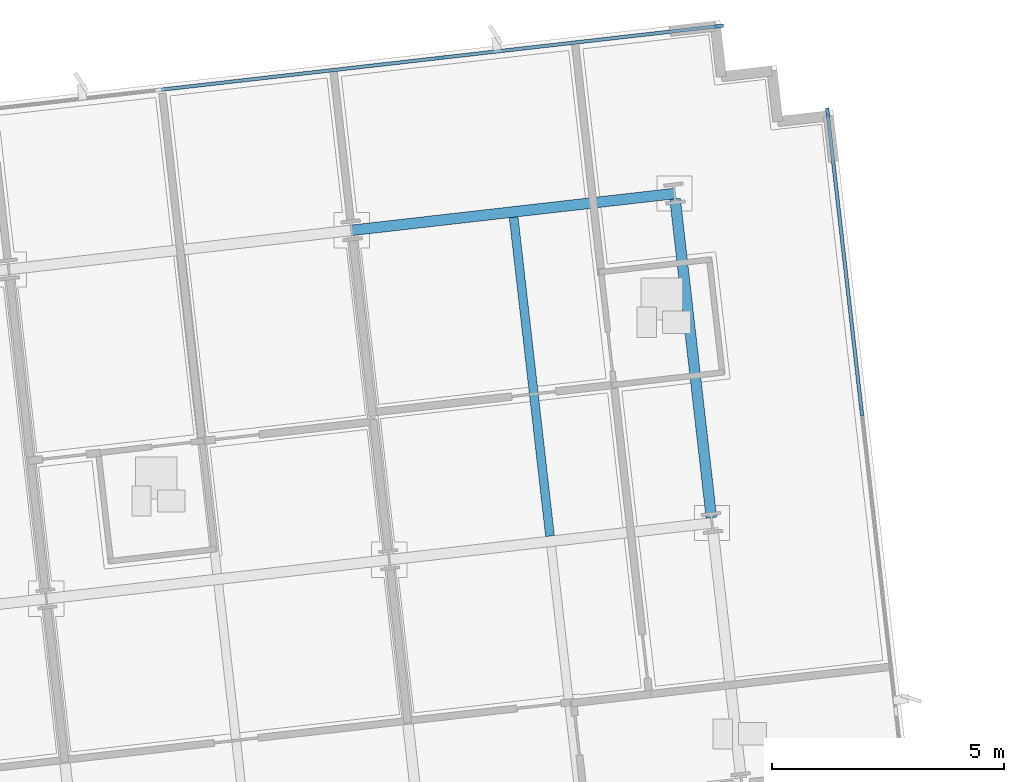
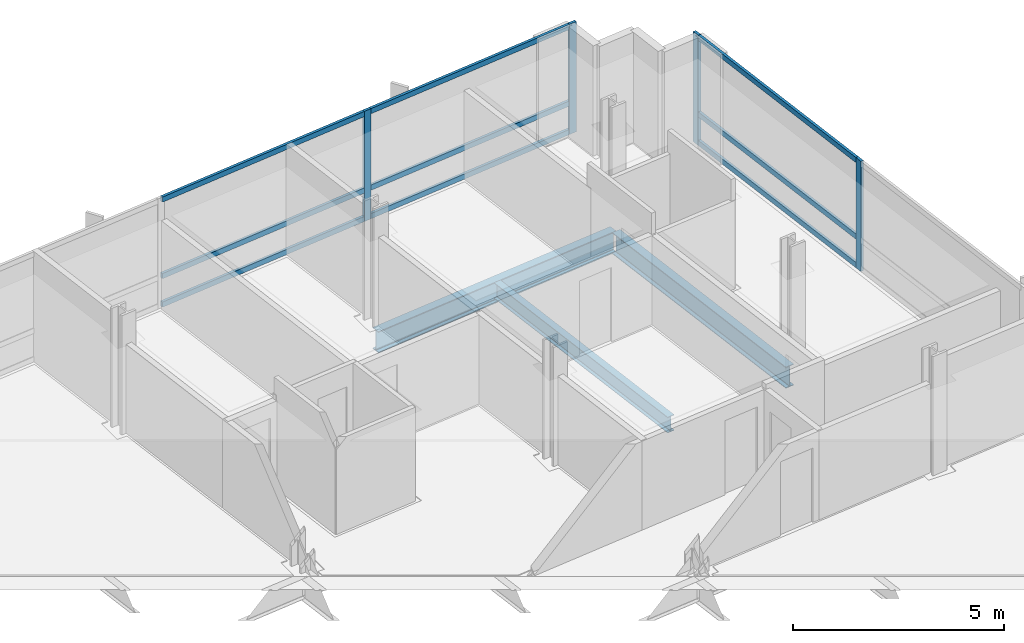
# One storey, part 6 of 17: 13 members, 3 beams, 2 elements without a shape of their own.
"""IFC4 building model written with IfcOpenShell, lengths in metres."""

import ifcopenshell
import ifcopenshell.guid

model = None  # the IFC model being written
_history = None  # IfcOwnerHistory: only IFC2X3 demands one
_inside = {}  # id of a spatial element -> (the spatial element, [elements in it])
_under = {}  # id of a project, library or spatial element -> (it, [spatial elements below it])
_declared = {}  # id of a project -> (the project, [libraries it declares])
_typed = {}  # id of a type object -> (the type object, [elements of that type])
_made_of = {}  # id of a material, layer set ... -> (it, [elements and type objects made of it])


def new_model(schema):
    """Start an empty IFC model of exactly this schema.

    Asked for "IFC4X3", IfcOpenShell would pick the latest addendum, in which some entities
    have other attributes; the version numbers below select the first issue.
    IFC2X3 requires an IfcOwnerHistory on every rooted entity: one is made here for all.
    """
    global model, _history
    if schema == "IFC4X3":
        model = ifcopenshell.file(schema_version=(4, 3, 0, 0))
    else:
        model = ifcopenshell.file(schema=schema)
    _inside.clear()
    _under.clear()
    _declared.clear()
    _typed.clear()
    _made_of.clear()
    _history = None
    if model.schema == "IFC2X3":
        org = make("IfcOrganization", Name="unknown")
        user = make(
            "IfcPersonAndOrganization",
            ThePerson=make("IfcPerson", FamilyName="unknown"),
            TheOrganization=org,
        )
        app = make(
            "IfcApplication",
            ApplicationDeveloper=org,
            Version="unknown",
            ApplicationFullName="unknown",
            ApplicationIdentifier="unknown",
        )
        _history = make(
            "IfcOwnerHistory",
            OwningUser=user,
            OwningApplication=app,
            ChangeAction="ADDED",
            CreationDate=0,
        )
    return model


def make(cls, **values):
    """One entity of the class cls with the attributes given. An attribute that is None is left unset."""
    return model.create_entity(
        cls, **{name: value for name, value in values.items() if value is not None}
    )


def rooted(cls, **values):
    """An entity with a GlobalId (a new one), such as an element, a storey or a relation."""
    return make(cls, GlobalId=ifcopenshell.guid.new(), OwnerHistory=_history, **values)


def si_unit(unit_type, name, prefix=None):
    """IfcSIUnit, for example si_unit("LENGTHUNIT", "METRE", prefix="MILLI")."""
    return make("IfcSIUnit", UnitType=unit_type, Prefix=prefix, Name=name)


def assignment(units):
    """IfcUnitAssignment: the units of a project."""
    return None if units is None else make("IfcUnitAssignment", Units=units)


def point(xyz):
    """IfcCartesianPoint."""
    return None if xyz is None else make("IfcCartesianPoint", Coordinates=xyz)


def direction(xyz):
    """IfcDirection."""
    return None if xyz is None else make("IfcDirection", DirectionRatios=xyz)


def frame(location, z_axis=None, x_axis=None):
    """IfcAxis2Placement3D, a coordinate frame: its origin and axes. An axis left out is left unset."""
    return make(
        "IfcAxis2Placement3D",
        Location=point(location),
        Axis=direction(z_axis),
        RefDirection=direction(x_axis),
    )


def frame_2d(location, x_axis=None):
    """IfcAxis2Placement2D, a coordinate frame in the plane: its origin and x axis."""
    return make(
        "IfcAxis2Placement2D", Location=point(location), RefDirection=direction(x_axis)
    )


def origin():
    """The frame at (0, 0, 0) with its axes left unset."""
    return frame((0.0, 0.0, 0.0))


def origin_2d():
    """The frame at (0, 0) in the plane with its x axis left unset."""
    return frame_2d((0.0, 0.0))


def place(relative_to, where):
    """IfcLocalPlacement: puts the frame where relative to a parent placement (None: the world)."""
    return make(
        "IfcLocalPlacement", PlacementRelTo=relative_to, RelativePlacement=where
    )


def context(
    kind, dimensions, precision=None, world=None, true_north=None, identifier=None
):
    """IfcGeometricRepresentationContext, for example the 3D "Model" context."""
    return make(
        "IfcGeometricRepresentationContext",
        ContextIdentifier=identifier,
        ContextType=kind,
        CoordinateSpaceDimension=dimensions,
        Precision=precision,
        WorldCoordinateSystem=world,
        TrueNorth=true_north,
    )


def subcontext(parent, identifier, kind, view, scale=None):
    """IfcGeometricRepresentationSubContext, for example "Body" below "Model"."""
    return make(
        "IfcGeometricRepresentationSubContext",
        ContextIdentifier=identifier,
        ContextType=kind,
        ParentContext=parent,
        TargetScale=scale,
        TargetView=view,
    )


def project(units=None, contexts=None):
    """IfcProject with its units and contexts."""
    return rooted(
        "IfcProject",
        Name="project",
        RepresentationContexts=contexts,
        UnitsInContext=assignment(units),
    )


def spatial(cls, under=None, at=None, **own):
    """A site, building, storey or space (cls), placed at a placement, below another one or the project."""
    s = rooted(cls, ObjectPlacement=at, **own)
    if under is not None:
        _under.setdefault(under.id(), (under, []))[1].append(s)
    return s


def profile(cls, at=None, kind="AREA", **sizes):
    """A parametric profile (cls). Its sizes go by their IFC names, for example OverallWidth=200.0."""
    return make(cls, ProfileType=kind, Position=at, **sizes)


def rectangle(**sizes):
    """IfcRectangleProfileDef."""
    return profile("IfcRectangleProfileDef", **sizes)


def i_section(**sizes):
    """IfcIShapeProfileDef."""
    return profile("IfcIShapeProfileDef", **sizes)


def extrude(swept, where, along, depth):
    """IfcExtrudedAreaSolid: the profile swept, set in the frame where, extruded along a direction by depth."""
    return make(
        "IfcExtrudedAreaSolid",
        SweptArea=swept,
        Position=where,
        ExtrudedDirection=direction(along),
        Depth=depth,
    )


def shape(context_of_items, identifier, shape_type, items):
    """IfcShapeRepresentation: the items that make up one representation, for example the "Body"."""
    return make(
        "IfcShapeRepresentation",
        ContextOfItems=context_of_items,
        RepresentationIdentifier=identifier,
        RepresentationType=shape_type,
        Items=items,
    )


def material(Name=None, Category=None):
    """IfcMaterial."""
    return make("IfcMaterial", Name=Name, Category=Category)


def material_profile(
    of_material, cross_section, Name=None, Category=None, Priority=None
):
    """IfcMaterialProfile: a cross section and its material."""
    return make(
        "IfcMaterialProfile",
        Name=Name,
        Material=of_material,
        Profile=cross_section,
        Priority=Priority,
        Category=Category,
    )


def profile_set(profiles, Name=None, composite=None):
    """IfcMaterialProfileSet."""
    return make(
        "IfcMaterialProfileSet",
        Name=Name,
        MaterialProfiles=profiles,
        CompositeProfile=composite,
    )


def made_of(thing, what):
    """Note that an element or type object is made of a material, layer set ...; save() writes the relation."""
    if what is not None:
        _made_of.setdefault(what.id(), (what, []))[1].append(thing)
    return thing


def type_object(cls, material=None, **own):
    """A type object (cls), such as IfcWallType, which elements share."""
    return made_of(rooted(cls, **own), material)


def element(
    cls,
    number,
    at=None,
    inside=None,
    cuts=None,
    type_object=None,
    material=None,
    context=None,
    identifier="Body",
    shape_type=None,
    held_by="IfcProductDefinitionShape",
    body=None,
    shapes=None,
    **own,
):
    """One element of the class cls, such as IfcWall. Its Tag is "e" and its number.

    at: its placement. inside: the storey or other place that contains it. cuts: it is an
    opening in that element (IfcRelVoidsElement). A single representation is given by context,
    identifier, shape_type and body (its items); several are given by shapes. held_by: the class
    of the entity that holds the representations. save() writes the other relations.
    """
    e = rooted(cls, Tag="e%d" % number, ObjectPlacement=at, **own)
    if body is not None:
        shapes = [shape(context, identifier, shape_type, body)]
    if shapes is not None:
        e.Representation = make(held_by, Representations=shapes)
    if inside is not None:
        _inside.setdefault(inside.id(), (inside, []))[1].append(e)
    if cuts is not None:
        rooted(
            "IfcRelVoidsElement", RelatingBuildingElement=cuts, RelatedOpeningElement=e
        )
    if type_object is not None:
        _typed.setdefault(type_object.id(), (type_object, []))[1].append(e)
    return made_of(e, material)


def aggregate(whole, parts):
    """IfcRelAggregates: a whole, such as a stair, and the parts it consists of."""
    return rooted("IfcRelAggregates", RelatingObject=whole, RelatedObjects=parts)


def save(model, path):
    """Write the relations noted so far, then the file.

    IfcRelAggregates (storeys below a building ...), IfcRelContainedInSpatialStructure (elements
    in a storey), IfcRelDefinesByType, IfcRelAssociatesMaterial and IfcRelDeclares: one each for
    every whole, place, type object, material and project.
    """
    for whole, parts in _under.values():
        aggregate(whole, parts)
    for where, things in _inside.values():
        rooted(
            "IfcRelContainedInSpatialStructure",
            RelatedElements=things,
            RelatingStructure=where,
        )
    for kind, things in _typed.values():
        rooted("IfcRelDefinesByType", RelatedObjects=things, RelatingType=kind)
    for what, things in _made_of.values():
        rooted("IfcRelAssociatesMaterial", RelatedObjects=things, RelatingMaterial=what)
    for by, libraries in _declared.values():
        rooted("IfcRelDeclares", RelatingContext=by, RelatedDefinitions=libraries)
    model.write(path)


model = new_model("IFC4")

# Units and contexts
model_context = context("Model", 3, precision=1e-05, world=origin(), true_north=direction((0.0, 1.0)))
body_context = subcontext(model_context, "Body", "Model", "MODEL_VIEW")
ifc_project = project(units=[si_unit("LENGTHUNIT", "METRE"), si_unit("AREAUNIT", "SQUARE_METRE"), si_unit("VOLUMEUNIT", "CUBIC_METRE"), si_unit("PLANEANGLEUNIT", "RADIAN"), si_unit("MASSUNIT", "GRAM", prefix="KILO")], contexts=[model_context])

# Site, building, storey
site_placement = place(None, origin())
site = spatial("IfcSite", under=ifc_project, at=site_placement, CompositionType="ELEMENT")
building_placement = place(site_placement, origin())
building = spatial("IfcBuilding", under=site, at=building_placement, Name="Solmavex Isthmus Hotel", CompositionType="ELEMENT")
storey_placement = place(building_placement, frame((0.0, 0.0, 195.14990234375)))
storey = spatial("IfcBuildingStorey", under=building, at=storey_placement, Name="L52", CompositionType="ELEMENT", Elevation=195.14990234375)

# Beams
ifc_material_1 = material(Name="Steel ASTM A992 Grade 50", Category="steel")
ifc_material_profile_1 = material_profile(ifc_material_1, i_section(OverallWidth=0.1904296875, OverallDepth=0.456787109375, WebThickness=0.009033203125, FlangeThickness=0.014404296875, FilletRadius=0.0126953125, at=origin_2d()), Name="W18X50")
ifc_profile_set_1 = profile_set([ifc_material_profile_1], Name="Steel ASTM A992 Grade 50")
beam_type_1 = type_object("IfcBeamType", Name="BM-BJ-W18X50", PredefinedType="JOIST", material=ifc_profile_set_1)
beam_1_placement = place(storey_placement, frame((21.587646484375, 11.7939453125, -0.48828125), z_axis=(-0.113202453846, 0.993571942258, 0.0), x_axis=(-0.993571942258, -0.113202453846, 0.0)))
element("IfcBeam", 1, at=beam_1_placement, inside=storey, type_object=beam_type_1, Name="Secondary Floor Joist L52-J21", PredefinedType="JOIST", context=body_context, shape_type="SweptSolid", body=[
    extrude(i_section(OverallWidth=0.1904296875, OverallDepth=0.456787109375, WebThickness=0.009033203125, FlangeThickness=0.014404296875, FilletRadius=0.0126953125, at=origin_2d()), origin(), (0.0, 0.0, 1.0), 6.9228515625),
])
ifc_material_profile_2 = material_profile(ifc_material_1, i_section(OverallWidth=0.230224609375, OverallDepth=0.617431640625, WebThickness=0.01318359375, FlangeThickness=0.022216796875, FilletRadius=0.01513671875, at=origin_2d()), Name="W24X94")
ifc_profile_set_2 = profile_set([ifc_material_profile_2], Name="Steel ASTM A992 Grade 50")
beam_type_2 = type_object("IfcBeamType", Name="BM-SP-W24X94", PredefinedType="SPANDREL", material=ifc_profile_set_2)
beam_2_placement = place(storey_placement, frame((17.3095703125, 18.39013671875, -0.568603515625), z_axis=(0.99357359356, 0.113187959519, 0.0), x_axis=(-0.113187959519, 0.99357359356, 0.0)))
element("IfcBeam", 2, at=beam_2_placement, inside=storey, type_object=beam_type_2, Name="Floor Girder L52-UG23", PredefinedType="SPANDREL", context=body_context, shape_type="SweptSolid", body=[
    extrude(i_section(OverallWidth=0.230224609375, OverallDepth=0.617431640625, WebThickness=0.01318359375, FlangeThickness=0.022216796875, FilletRadius=0.01513671875, at=origin_2d()), origin(), (0.0, 0.0, 1.0), 7.0078125),
])
beam_3_placement = place(storey_placement, frame((25.0693359375, 12.1904296875, -0.568603515625), z_axis=(-0.113202453846, 0.993571942258, 0.0), x_axis=(-0.993571942258, -0.113202453846, 0.0)))
element("IfcBeam", 3, at=beam_3_placement, inside=storey, type_object=beam_type_2, Name="Floor Beam L52-VG45", PredefinedType="SPANDREL", context=body_context, shape_type="SweptSolid", body=[
    extrude(i_section(OverallWidth=0.230224609375, OverallDepth=0.617431640625, WebThickness=0.01318359375, FlangeThickness=0.022216796875, FilletRadius=0.01513671875, at=origin_2d()), origin(), (0.0, 0.0, 1.0), 6.9228515625),
])

# Curtain wall, members
ifc_material_2 = material(Name="Aluminium alloy 6063-T6", Category="aluminium")
curtain_wall_type = type_object("IfcCurtainWallType", Name="CW-SYS-04", PredefinedType="NOTDEFINED", material=ifc_material_2)
curtain_wall_1_placement = place(storey_placement, origin())
curtain_wall_1 = element("IfcCurtainWall", 4, at=curtain_wall_1_placement, inside=storey, type_object=curtain_wall_type, Name="Stick Curtain Wall CWL-L52-N3", PredefinedType="NOTDEFINED")
ifc_material_profile_3 = material_profile(ifc_material_2, rectangle(XDim=0.074951171875, YDim=0.199951171875, at=origin_2d()), Name="CWM-75X200")
ifc_profile_set_3 = profile_set([ifc_material_profile_3], Name="Aluminium alloy 6063-T6")
member_type_1 = type_object("IfcMemberType", Name="CW-SYS-04-MUL", PredefinedType="MULLION", material=ifc_profile_set_3)
member_1_placement = place(storey_placement, frame((19.21630859375, 22.10986328125, 0.0), z_axis=(0.0, 0.0, 1.0), x_axis=(-0.113203493636, 0.99357182379, 0.0)))
member_1 = element("IfcMember", 5, at=member_1_placement, type_object=member_type_1, Name="CW-04 mullion 3", PredefinedType="MULLION", context=body_context, shape_type="SweptSolid", body=[
    extrude(rectangle(XDim=0.074951171875, YDim=0.199951171875, at=origin_2d()), origin(), (0.0, 0.0, 1.0), 3.190185546875),
])
member_2_placement = place(storey_placement, frame((25.232177734375, 22.795166015625, 0.0), z_axis=(0.0, 0.0, 1.0), x_axis=(-0.113203493636, 0.99357182379, 0.0)))
member_2 = element("IfcMember", 6, at=member_2_placement, type_object=member_type_1, Name="CW-04 mullion 4", PredefinedType="MULLION", context=body_context, shape_type="SweptSolid", body=[
    extrude(rectangle(XDim=0.074951171875, YDim=0.199951171875, at=origin_2d()), origin(), (0.0, 0.0, 1.0), 3.190185546875),
])

curtain_wall_2_placement = place(storey_placement, origin())
curtain_wall_2 = element("IfcCurtainWall", 7, at=curtain_wall_2_placement, inside=storey, type_object=curtain_wall_type, Name="Stick Curtain Wall CWL-L52-E1", PredefinedType="NOTDEFINED")
member_3_placement = place(storey_placement, frame((28.309814453125, 14.490234375, 0.0), z_axis=(0.0, 0.0, 1.0), x_axis=(-0.993571836648, -0.11320338078, 0.0)))
member_3 = element("IfcMember", 8, at=member_3_placement, type_object=member_type_1, Name="CW-04 mullion 5", PredefinedType="MULLION", context=body_context, shape_type="SweptSolid", body=[
    extrude(rectangle(XDim=0.074951171875, YDim=0.199951171875, at=origin_2d()), origin(), (0.0, 0.0, 1.0), 3.190185546875),
])
member_4_placement = place(storey_placement, frame((27.575927734375, 20.93115234375, 0.0), z_axis=(0.0, 0.0, 1.0), x_axis=(-0.993571836648, -0.11320338078, 0.0)))
member_4 = element("IfcMember", 9, at=member_4_placement, type_object=member_type_1, Name="CW-04 mullion 6", PredefinedType="MULLION", context=body_context, shape_type="SweptSolid", body=[
    extrude(rectangle(XDim=0.074951171875, YDim=0.199951171875, at=origin_2d()), origin(), (0.0, 0.0, 1.0), 3.190185546875),
])

# Member
ifc_material_profile_4 = material_profile(ifc_material_2, rectangle(XDim=0.074951171875, YDim=0.14990234375, at=origin_2d()), Name="CWT-75X150")
ifc_profile_set_4 = profile_set([ifc_material_profile_4], Name="Aluminium alloy 6063-T6")
member_type_2 = type_object("IfcMemberType", Name="CW-SYS-04-TRN", PredefinedType="USERDEFINED", material=ifc_profile_set_4)
member_5_placement = place(storey_placement, frame((13.200439453125, 21.42431640625, 0.0751953125), z_axis=(0.993572627374, 0.113196440458, 0.0), x_axis=(-0.113196440458, 0.993572627374, 0.0)))
member_5 = element("IfcMember", 10, at=member_5_placement, type_object=member_type_2, Name="CW-04 transom 2.1", ObjectType="TRANSOM", PredefinedType="USERDEFINED", context=body_context, shape_type="SweptSolid", body=[
    extrude(rectangle(XDim=0.074951171875, YDim=0.14990234375, at=origin_2d()), origin(), (0.0, 0.0, 1.0), 6.017333984375),
])

member_6_placement = place(storey_placement, frame((13.200439453125, 21.42431640625, 0.900146484375), z_axis=(0.993572627374, 0.113196440458, 0.0), x_axis=(-0.113196440458, 0.993572627374, 0.0)))
member_6 = element("IfcMember", 11, at=member_6_placement, type_object=member_type_2, Name="CW-04 transom 2.2", ObjectType="TRANSOM", PredefinedType="USERDEFINED", context=body_context, shape_type="SweptSolid", body=[
    extrude(rectangle(XDim=0.074951171875, YDim=0.14990234375, at=origin_2d()), origin(), (0.0, 0.0, 1.0), 6.017333984375),
])

member_7_placement = place(storey_placement, frame((13.200439453125, 21.42431640625, 3.114990234375), z_axis=(0.993572627374, 0.113196440458, 0.0), x_axis=(-0.113196440458, 0.993572627374, 0.0)))
member_7 = element("IfcMember", 12, at=member_7_placement, type_object=member_type_2, Name="CW-04 transom 2.3", ObjectType="TRANSOM", PredefinedType="USERDEFINED", context=body_context, shape_type="SweptSolid", body=[
    extrude(rectangle(XDim=0.074951171875, YDim=0.14990234375, at=origin_2d()), origin(), (0.0, 0.0, 1.0), 6.017333984375),
])

member_8_placement = place(storey_placement, frame((19.253662109375, 22.114013671875, 0.0751953125), z_axis=(0.993570647741, 0.113213815179, 0.0), x_axis=(-0.113213815179, 0.993570647741, 0.0)))
member_8 = element("IfcMember", 13, at=member_8_placement, type_object=member_type_2, Name="CW-04 transom 3.1", ObjectType="TRANSOM", PredefinedType="USERDEFINED", context=body_context, shape_type="SweptSolid", body=[
    extrude(rectangle(XDim=0.074951171875, YDim=0.14990234375, at=origin_2d()), origin(), (0.0, 0.0, 1.0), 5.979736328125),
])

member_9_placement = place(storey_placement, frame((19.253662109375, 22.114013671875, 0.900146484375), z_axis=(0.993570647741, 0.113213815179, 0.0), x_axis=(-0.113213815179, 0.993570647741, 0.0)))
member_9 = element("IfcMember", 14, at=member_9_placement, type_object=member_type_2, Name="CW-04 transom 3.2", ObjectType="TRANSOM", PredefinedType="USERDEFINED", context=body_context, shape_type="SweptSolid", body=[
    extrude(rectangle(XDim=0.074951171875, YDim=0.14990234375, at=origin_2d()), origin(), (0.0, 0.0, 1.0), 5.979736328125),
])

member_10_placement = place(storey_placement, frame((19.253662109375, 22.114013671875, 3.114990234375), z_axis=(0.993570647741, 0.113213815179, 0.0), x_axis=(-0.113213815179, 0.993570647741, 0.0)))
member_10 = element("IfcMember", 15, at=member_10_placement, type_object=member_type_2, Name="CW-04 transom 3.3", ObjectType="TRANSOM", PredefinedType="USERDEFINED", context=body_context, shape_type="SweptSolid", body=[
    extrude(rectangle(XDim=0.074951171875, YDim=0.14990234375, at=origin_2d()), origin(), (0.0, 0.0, 1.0), 5.979736328125),
])

aggregate(curtain_wall_1, [member_1, member_2, member_5, member_6, member_7, member_8, member_9, member_10])

member_11_placement = place(storey_placement, frame((28.305419921875, 14.527587890625, 0.0751953125), z_axis=(-0.113203780919, 0.993571791058, 0.0), x_axis=(-0.993571791058, -0.113203780919, 0.0)))
member_11 = element("IfcMember", 16, at=member_11_placement, type_object=member_type_2, Name="CW-04 transom 5.1", ObjectType="TRANSOM", PredefinedType="USERDEFINED", context=body_context, shape_type="SweptSolid", body=[
    extrude(rectangle(XDim=0.074951171875, YDim=0.14990234375, at=origin_2d()), origin(), (0.0, 0.0, 1.0), 6.407470703125),
])

member_12_placement = place(storey_placement, frame((28.305419921875, 14.527587890625, 0.900146484375), z_axis=(-0.113203780919, 0.993571791058, 0.0), x_axis=(-0.993571791058, -0.113203780919, 0.0)))
member_12 = element("IfcMember", 17, at=member_12_placement, type_object=member_type_2, Name="CW-04 transom 5.2", ObjectType="TRANSOM", PredefinedType="USERDEFINED", context=body_context, shape_type="SweptSolid", body=[
    extrude(rectangle(XDim=0.074951171875, YDim=0.14990234375, at=origin_2d()), origin(), (0.0, 0.0, 1.0), 6.407470703125),
])

member_13_placement = place(storey_placement, frame((28.305419921875, 14.527587890625, 3.114990234375), z_axis=(-0.113203780919, 0.993571791058, 0.0), x_axis=(-0.993571791058, -0.113203780919, 0.0)))
member_13 = element("IfcMember", 18, at=member_13_placement, type_object=member_type_2, Name="CW-04 transom 5.3", ObjectType="TRANSOM", PredefinedType="USERDEFINED", context=body_context, shape_type="SweptSolid", body=[
    extrude(rectangle(XDim=0.074951171875, YDim=0.14990234375, at=origin_2d()), origin(), (0.0, 0.0, 1.0), 6.407470703125),
])

aggregate(curtain_wall_2, [member_3, member_4, member_11, member_12, member_13])

save(model, "model.ifc")
